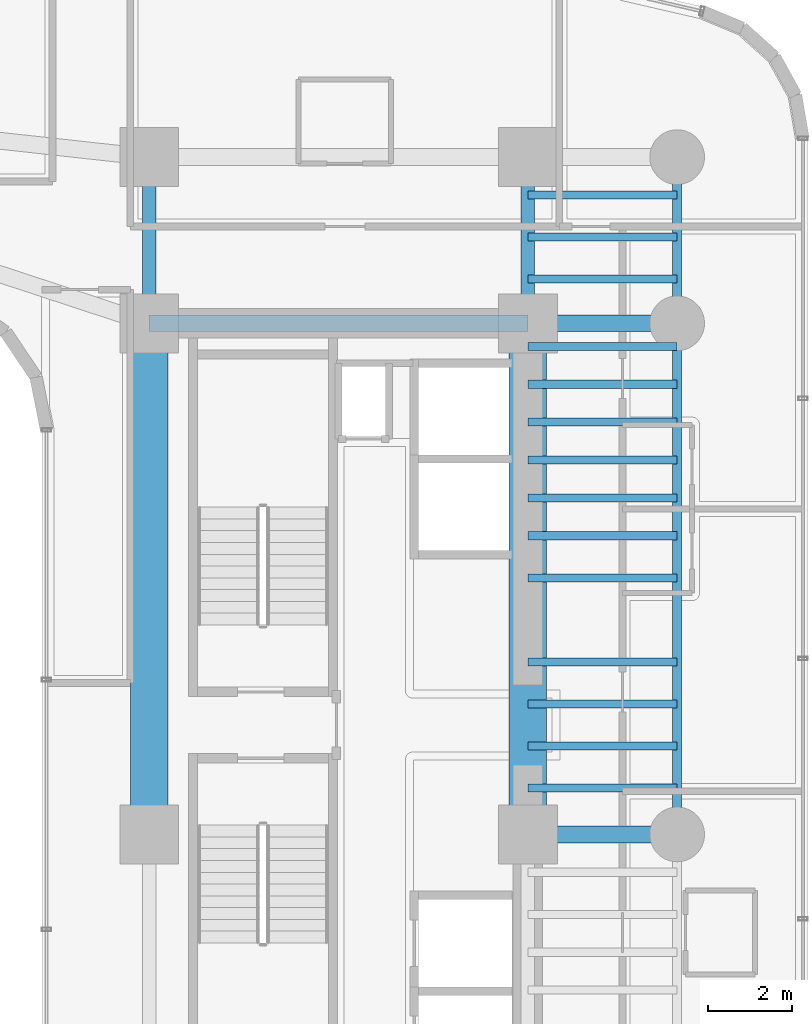
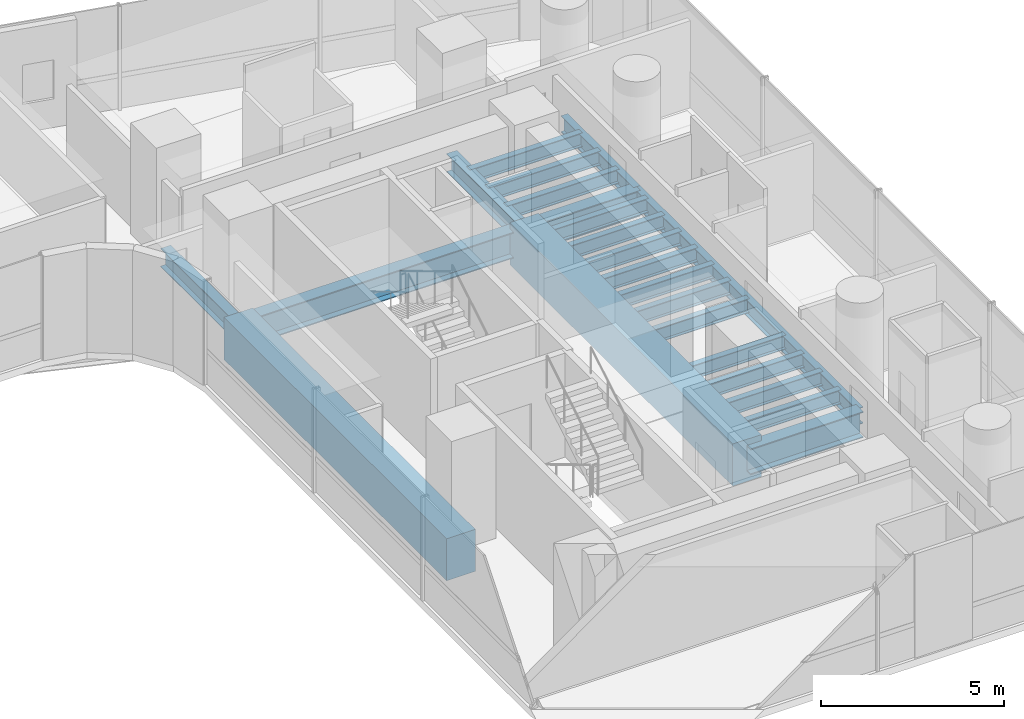
# One storey, part 17 of 40: 23 beams.
"""IFC4 building model written with IfcOpenShell, lengths in metres."""

from ifc_helpers import new_model, si_unit, direction, frame, origin, origin_2d, place, context, subcontext, project, spatial, rectangle, i_section, extrude, source, transform, mapped, material, material_profile, profile_set, type_object, element, save


model = new_model("IFC4")

# Units and contexts
model_context = context("Model", 3, precision=1e-05, world=origin(), true_north=direction((0.0, 1.0)))
body_context = subcontext(model_context, "Body", "Model", "MODEL_VIEW")
ifc_project = project(units=[si_unit("LENGTHUNIT", "METRE"), si_unit("AREAUNIT", "SQUARE_METRE"), si_unit("VOLUMEUNIT", "CUBIC_METRE"), si_unit("PLANEANGLEUNIT", "RADIAN"), si_unit("MASSUNIT", "GRAM", prefix="KILO")], contexts=[model_context])

# Site, building, storey
site_placement = place(None, origin())
site = spatial("IfcSite", under=ifc_project, at=site_placement, CompositionType="ELEMENT")
building_placement = place(site_placement, origin())
building = spatial("IfcBuilding", under=site, at=building_placement, Name="Valdorenza Pilgrim Sanctuary Tower", CompositionType="ELEMENT")
storey_placement = place(building_placement, frame((0.0, 0.0, 66.699951171875)))
storey = spatial("IfcBuildingStorey", under=building, at=storey_placement, Name="L16", CompositionType="ELEMENT", Elevation=66.699951171875)

# Beams
ifc_material_1 = material(Name="Concrete C60/75", Category="concrete")
ifc_material_profile_1 = material_profile(ifc_material_1, rectangle(XDim=0.89990234375, YDim=1.39990234375, at=origin_2d()), Name="RC 1400x900")
ifc_profile_set_1 = profile_set([ifc_material_profile_1], Name="Concrete C60/75")
beam_type_1 = type_object("IfcBeamType", Name="STR-BM-LNT-1400", PredefinedType="LINTEL", material=ifc_profile_set_1)
shared_shape_1 = source(origin(), body_context, "Body", "SweptSolid", [
    extrude(rectangle(XDim=0.89990234375, YDim=1.39990234375, at=origin_2d()), origin(), (0.0, 0.0, 1.0), 12.150146484375),
])
for number, where, z_axis, x_axis, name in (
    (1, (15.85009765625, -2.60009765625, -0.739990234375), (0.0, 1.0, 0.0), (-1.0, 0.0, 0.0), "L16 Core B West Coupling Lintel Girder"),
    (2, (24.85009765625, -2.60009765625, -0.739990234375), (0.0, 1.0, 0.0), (-1.0, 0.0, 0.0), "L16 Core B East Coupling Lintel Girder"),
):
    element("IfcBeam", number, at=place(storey_placement, frame(where, z_axis=z_axis, x_axis=x_axis)), inside=storey, type_object=beam_type_1, Name=name, PredefinedType="LINTEL", context=body_context, shape_type="MappedRepresentation", body=[
        mapped(shared_shape_1, transform((0.0, 0.0, 0.0), x_axis=(1.0, 0.0, 0.0), y_axis=(0.0, 1.0, 0.0), z_axis=(0.0, 0.0, 1.0), scale=1.0)),
    ])
ifc_material_2 = material(Name="Steel ASTM A992 Grade 50", Category="steel")
ifc_material_profile_2 = material_profile(ifc_material_2, i_section(OverallWidth=0.214111328125, OverallDepth=0.549072265625, WebThickness=0.0146484375, FlangeThickness=0.023681640625, at=origin_2d()), Name="W21X93")
ifc_profile_set_2 = profile_set([ifc_material_profile_2], Name="Steel ASTM A992 Grade 50")
beam_type_2 = type_object("IfcBeamType", Name="STR-BM-SPN-W21A", PredefinedType="SPANDREL", material=ifc_profile_set_2)
shared_shape_2 = source(origin(), body_context, "Body", "SweptSolid", [
    extrude(i_section(OverallWidth=0.214111328125, OverallDepth=0.549072265625, WebThickness=0.0146484375, FlangeThickness=0.023681640625, at=origin_2d()), origin(), (0.0, 0.0, 1.0), 12.150146484375),
])
beam_1_placement = place(storey_placement, frame((28.39990234375, -2.60009765625, -0.514404296875), z_axis=(0.0, 1.0, 0.0), x_axis=(-1.0, 0.0, 0.0)))
element("IfcBeam", 3, at=beam_1_placement, inside=storey, type_object=beam_type_2, Name="L16 Spandrel Beam WB-E-M0N1", PredefinedType="SPANDREL", context=body_context, shape_type="MappedRepresentation", body=[
    mapped(shared_shape_2, transform((0.0, 0.0, 0.0), x_axis=(1.0, 0.0, 0.0), y_axis=(0.0, 1.0, 0.0), z_axis=(0.0, 0.0, 1.0), scale=1.0)),
])
ifc_material_profile_3 = material_profile(ifc_material_2, i_section(OverallWidth=0.323974609375, OverallDepth=0.611083984375, WebThickness=0.0126953125, FlangeThickness=0.01904296875, at=origin_2d()), Name="W24X104")
ifc_profile_set_3 = profile_set([ifc_material_profile_3], Name="Steel ASTM A992 Grade 50")
beam_type_3 = type_object("IfcBeamType", Name="STR-BM-GRD-W24B", PredefinedType="BEAM", material=ifc_profile_set_3)
shared_shape_3 = source(origin(), body_context, "Body", "SweptSolid", [
    extrude(i_section(OverallWidth=0.323974609375, OverallDepth=0.611083984375, WebThickness=0.0126953125, FlangeThickness=0.01904296875, at=origin_2d()), origin(), (0.0, 0.0, 1.0), 3.949951171875),
])
for number, where, z_axis, x_axis, name in (
    (4, (15.85009765625, 9.550048828125, -0.54541015625), (0.0, 1.0, 0.0), (-1.0, 0.0, 0.0), "L16 Core Tie Girder CB-W-N1N2"),
    (5, (24.85009765625, 9.550048828125, -0.54541015625), (0.0, 1.0, 0.0), (-1.0, 0.0, 0.0), "L16 Core Tie Girder CB-E-N1N2"),
):
    element("IfcBeam", number, at=place(storey_placement, frame(where, z_axis=z_axis, x_axis=x_axis)), inside=storey, type_object=beam_type_3, Name=name, PredefinedType="BEAM", context=body_context, shape_type="MappedRepresentation", body=[
        mapped(shared_shape_3, transform((0.0, 0.0, 0.0), x_axis=(1.0, 0.0, 0.0), y_axis=(0.0, 1.0, 0.0), z_axis=(0.0, 0.0, 1.0), scale=1.0)),
    ])
shared_shape_4 = source(origin(), body_context, "Body", "SweptSolid", [
    extrude(i_section(OverallWidth=0.214111328125, OverallDepth=0.549072265625, WebThickness=0.0146484375, FlangeThickness=0.023681640625, at=origin_2d()), origin(), (0.0, 0.0, 1.0), 3.949951171875),
])
beam_2_placement = place(storey_placement, frame((28.39990234375, 9.550048828125, -0.514404296875), z_axis=(0.0, 1.0, 0.0), x_axis=(-1.0, 0.0, 0.0)))
element("IfcBeam", 6, at=beam_2_placement, inside=storey, type_object=beam_type_2, Name="L16 Spandrel Beam WB-E-N1N2", PredefinedType="SPANDREL", context=body_context, shape_type="MappedRepresentation", body=[
    mapped(shared_shape_4, transform((0.0, 0.0, 0.0), x_axis=(1.0, 0.0, 0.0), y_axis=(0.0, 1.0, 0.0), z_axis=(0.0, 0.0, 1.0), scale=1.0)),
])
ifc_material_profile_4 = material_profile(ifc_material_2, i_section(OverallWidth=0.193115234375, OverallDepth=0.466064453125, WebThickness=0.011474609375, FlangeThickness=0.01904296875, at=origin_2d()), Name="W18X65")
ifc_profile_set_4 = profile_set([ifc_material_profile_4], Name="Steel ASTM A992 Grade 50")
beam_type_4 = type_object("IfcBeamType", Name="STR-BM-JST-W18A", PredefinedType="JOIST", material=ifc_profile_set_4)
shared_shape_5 = source(origin(), body_context, "Body", "SweptSolid", [
    extrude(i_section(OverallWidth=0.193115234375, OverallDepth=0.466064453125, WebThickness=0.011474609375, FlangeThickness=0.01904296875, at=origin_2d()), origin(), (0.0, 0.0, 1.0), 3.5498046875),
])
for number, where, z_axis, x_axis, name in (
    (7, (24.85009765625, -1.5, -0.472900390625), (1.0, 0.0, 0.0), (0.0, 1.0, 0.0), "L16 Composite Floor Joist JST-WB-8"),
    (8, (24.85009765625, -0.5, -0.472900390625), (1.0, 0.0, 0.0), (0.0, 1.0, 0.0), "L16 Composite Floor Joist JST-WB-9"),
    (9, (24.85009765625, 0.5, -0.472900390625), (1.0, 0.0, 0.0), (0.0, 1.0, 0.0), "L16 Composite Floor Joist JST-WB-10"),
    (10, (24.85009765625, 1.5, -0.472900390625), (1.0, 0.0, 0.0), (0.0, 1.0, 0.0), "L16 Composite Floor Joist JST-WB-11"),
    (11, (24.85009765625, 3.5, -0.472900390625), (1.0, 0.0, 0.0), (0.0, 1.0, 0.0), "L16 Composite Floor Joist JST-WB-12"),
    (12, (24.85009765625, 4.5, -0.472900390625), (1.0, 0.0, 0.0), (0.0, 1.0, 0.0), "L16 Composite Floor Joist JST-WB-13"),
    (13, (24.85009765625, 5.39990234375, -0.472900390625), (1.0, 0.0, 0.0), (0.0, 1.0, 0.0), "L16 Composite Floor Joist JST-WB-14"),
    (14, (24.85009765625, 6.300048828125, -0.472900390625), (1.0, 0.0, 0.0), (0.0, 1.0, 0.0), "L16 Composite Floor Joist JST-WB-15"),
    (15, (24.85009765625, 7.199951171875, -0.472900390625), (1.0, 0.0, 0.0), (0.0, 1.0, 0.0), "L16 Composite Floor Joist JST-WB-16"),
    (16, (24.85009765625, 8.10009765625, -0.472900390625), (1.0, 0.0, 0.0), (0.0, 1.0, 0.0), "L16 Composite Floor Joist JST-WB-17"),
    (17, (24.85009765625, 9.0, -0.472900390625), (1.0, 0.0, 0.0), (0.0, 1.0, 0.0), "L16 Composite Floor Joist JST-WB-18"),
    (18, (24.85009765625, 10.60009765625, -0.472900390625), (1.0, 0.0, 0.0), (0.0, 1.0, 0.0), "L16 Composite Floor Joist JST-WB-19"),
    (19, (24.85009765625, 11.60009765625, -0.472900390625), (1.0, 0.0, 0.0), (0.0, 1.0, 0.0), "L16 Composite Floor Joist JST-WB-20"),
    (20, (24.85009765625, 12.60009765625, -0.472900390625), (1.0, 0.0, 0.0), (0.0, 1.0, 0.0), "L16 Composite Floor Joist JST-WB-21"),
):
    element("IfcBeam", number, at=place(storey_placement, frame(where, z_axis=z_axis, x_axis=x_axis)), inside=storey, type_object=beam_type_4, Name=name, PredefinedType="JOIST", context=body_context, shape_type="MappedRepresentation", body=[
        mapped(shared_shape_5, transform((0.0, 0.0, 0.0), x_axis=(1.0, 0.0, 0.0), y_axis=(0.0, 1.0, 0.0), z_axis=(0.0, 0.0, 1.0), scale=1.0)),
    ])
ifc_material_profile_5 = material_profile(ifc_material_2, i_section(OverallWidth=0.39990234375, OverallDepth=0.862060546875, WebThickness=0.019775390625, FlangeThickness=0.032470703125, at=origin_2d()), Name="W33X221")
ifc_profile_set_5 = profile_set([ifc_material_profile_5], Name="Steel ASTM A992 Grade 50")
beam_type_5 = type_object("IfcBeamType", Name="STR-BM-GRD-W33", PredefinedType="BEAM", material=ifc_profile_set_5)
shared_shape_6 = source(origin(), body_context, "Body", "SweptSolid", [
    extrude(i_section(OverallWidth=0.39990234375, OverallDepth=0.862060546875, WebThickness=0.019775390625, FlangeThickness=0.032470703125, at=origin_2d()), origin(), (0.0, 0.0, 1.0), 9.0),
])
beam_3_placement = place(storey_placement, frame((15.85009765625, 9.550048828125, -0.6708984375), z_axis=(1.0, 0.0, 0.0), x_axis=(0.0, 1.0, 0.0)))
element("IfcBeam", 21, at=beam_3_placement, inside=storey, type_object=beam_type_5, Name="L16 Floor Girder CB-XC-N1", PredefinedType="BEAM", context=body_context, shape_type="MappedRepresentation", body=[
    mapped(shared_shape_6, transform((0.0, 0.0, 0.0), x_axis=(1.0, 0.0, 0.0), y_axis=(0.0, 1.0, 0.0), z_axis=(0.0, 0.0, 1.0), scale=1.0)),
])
shared_shape_7 = source(origin(), body_context, "Body", "SweptSolid", [
    extrude(i_section(OverallWidth=0.39990234375, OverallDepth=0.862060546875, WebThickness=0.019775390625, FlangeThickness=0.032470703125, at=origin_2d()), origin(), (0.0, 0.0, 1.0), 3.5498046875),
])
for number, where, z_axis, x_axis, name in (
    (22, (24.85009765625, -2.60009765625, -0.6708984375), (1.0, 0.0, 0.0), (0.0, 1.0, 0.0), "L16 Floor Girder WB-XE-M0"),
    (23, (24.85009765625, 9.550048828125, -0.6708984375), (1.0, 0.0, 0.0), (0.0, 1.0, 0.0), "L16 Floor Girder WB-XE-N1"),
):
    element("IfcBeam", number, at=place(storey_placement, frame(where, z_axis=z_axis, x_axis=x_axis)), inside=storey, type_object=beam_type_5, Name=name, PredefinedType="BEAM", context=body_context, shape_type="MappedRepresentation", body=[
        mapped(shared_shape_7, transform((0.0, 0.0, 0.0), x_axis=(1.0, 0.0, 0.0), y_axis=(0.0, 1.0, 0.0), z_axis=(0.0, 0.0, 1.0), scale=1.0)),
    ])

save(model, "model.ifc")
